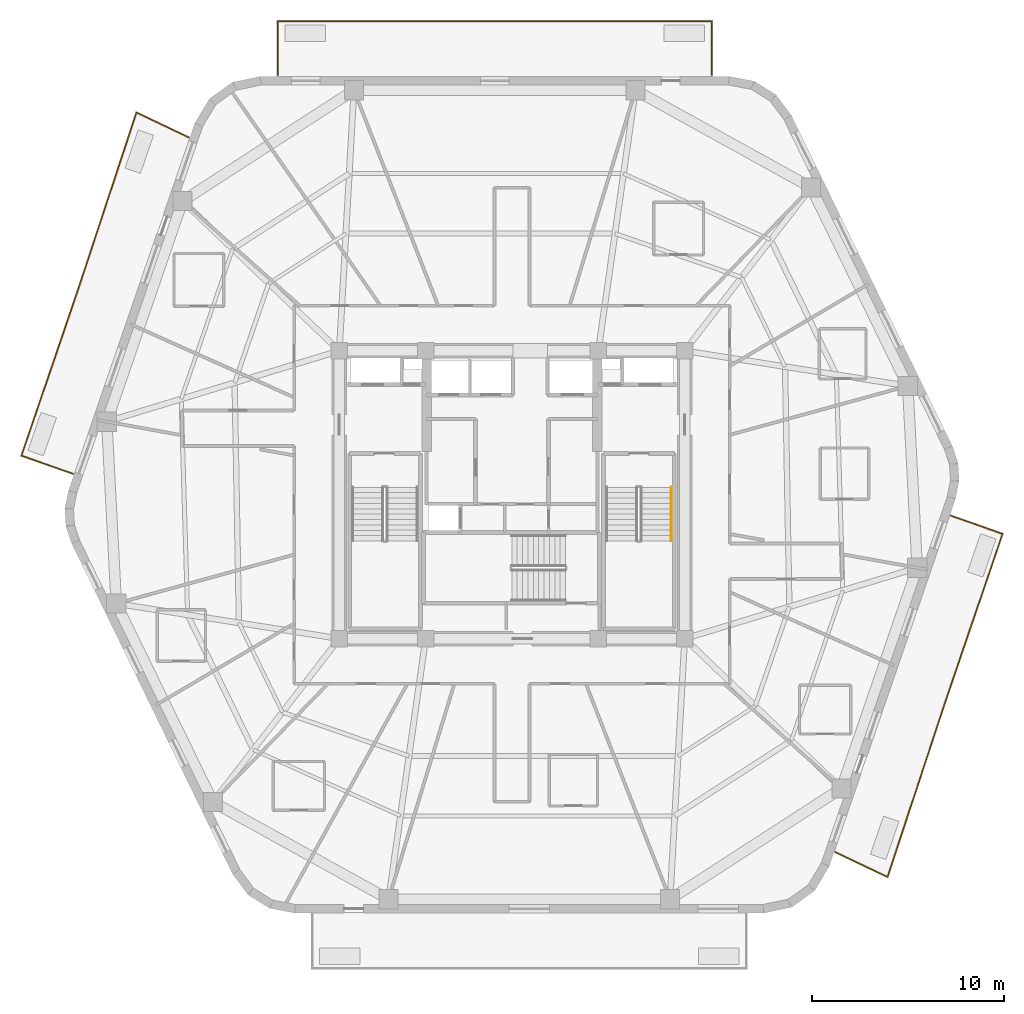
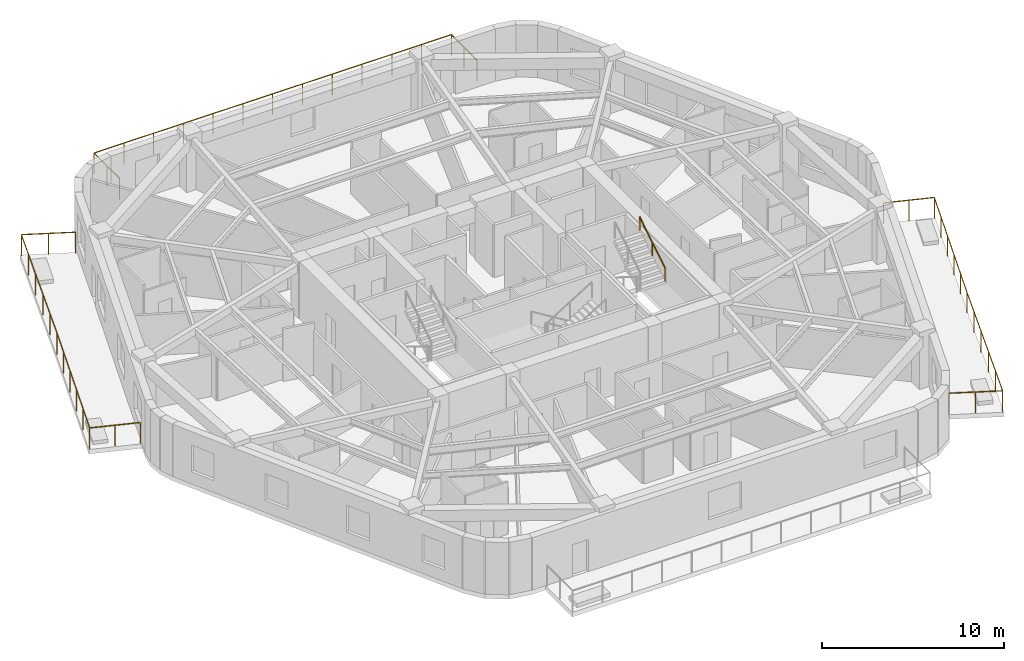
# One storey, part 9 of 9: 4 railings.
"""IFC4 building model written with IfcOpenShell, lengths in metres."""

from ifc_helpers import new_model, si_unit, direction, frame, origin, origin_2d, place, context, subcontext, project, spatial, rectangle, extrude, material, layer, layer_set, type_object, element, save


model = new_model("IFC4")

# Units and contexts
model_context = context("Model", 3, precision=1e-05, world=origin(), true_north=direction((0.0, 1.0)))
body_context = subcontext(model_context, "Body", "Model", "MODEL_VIEW")
ifc_project = project(units=[si_unit("LENGTHUNIT", "METRE"), si_unit("AREAUNIT", "SQUARE_METRE"), si_unit("VOLUMEUNIT", "CUBIC_METRE"), si_unit("PLANEANGLEUNIT", "RADIAN"), si_unit("MASSUNIT", "GRAM", prefix="KILO")], contexts=[model_context])

# Site, building, storey
site_placement = place(None, origin())
site = spatial("IfcSite", under=ifc_project, at=site_placement, CompositionType="ELEMENT")
building_placement = place(site_placement, origin())
building = spatial("IfcBuilding", under=site, at=building_placement, Name="Kilnhurst Terrace Hotel", CompositionType="ELEMENT")
storey_placement = place(building_placement, frame((0.0, 0.0, 225.5)))
storey = spatial("IfcBuildingStorey", under=building, at=storey_placement, Name="L56", CompositionType="ELEMENT", Elevation=225.5)

# Railings
ifc_material_1 = material(Name="Laminated SentryGlas and Stainless Steel AISI 316L Balustrade", Category="steel")
ifc_layer_1 = layer(ifc_material_1, 0.070068359375, Name="Laminated SentryGlas and Stainless Steel AISI 316L Balustrade")
ifc_layer_set_1 = layer_set([ifc_layer_1], Name="Laminated SentryGlas and Stainless Steel AISI 316L Balustrade")
railing_type_1 = type_object("IfcRailingType", Name="RLG-BAL-1420", PredefinedType="BALUSTRADE", material=ifc_layer_set_1)
railing_1_placement = place(storey_placement, frame((22.894287109375, -1.1005859375, 0.0)))
element("IfcRailing", 1, at=railing_1_placement, inside=storey, type_object=railing_type_1, Name="L56 Exterior Terrace Guardrail BAL-L1B.1", PredefinedType="BALUSTRADE", context=body_context, shape_type="SweptSolid", body=[
    extrude(rectangle(XDim=0.048095703125, YDim=0.048095703125, at=origin_2d()), frame((0.0, 0.0, 1.39599609375), z_axis=(0.943611810029, -0.331054001597, 0.0), x_axis=(0.331054001597, 0.943611810029, 0.0)), (0.0, 0.0, 1.0), 2.828125),
    extrude(rectangle(XDim=0.048095703125, YDim=0.048095703125, at=origin_2d()), frame((2.668701171875, -0.936279296875, 1.39599609375), z_axis=(-0.322845243604, -0.946451767753, 0.0), x_axis=(0.946451767753, -0.322845243604, 0.0)), (0.0, 0.0, 1.0), 9.19775390625),
    extrude(rectangle(XDim=0.048095703125, YDim=0.048095703125, at=origin_2d()), frame((-0.30078125, -9.6416015625, 1.39599609375), z_axis=(-0.316227766017, -0.948683298051, 0.0), x_axis=(0.948683298051, -0.316227766017, 0.0)), (0.0, 0.0, 1.0), 0.000732421875),
    extrude(rectangle(XDim=0.048095703125, YDim=0.048095703125, at=origin_2d()), frame((-0.301025390625, -9.642333984375, 1.39599609375), z_axis=(-0.31308682558, -0.949724507238, 0.0), x_axis=(0.949724507238, -0.31308682558, 0.0)), (0.0, 0.0, 1.0), 9.6591796875),
    extrude(rectangle(XDim=0.048095703125, YDim=0.048095703125, at=origin_2d()), frame((-3.3251953125, -18.81591796875, 1.39599609375), z_axis=(-0.902564652544, 0.430554349622, 0.0), x_axis=(-0.430554349622, -0.902564652544, 0.0)), (0.0, 0.0, 1.0), 2.99169921875),
    extrude(rectangle(XDim=0.0419921875, YDim=0.0419921875, at=origin_2d()), origin(), (0.0, 0.0, 1.0), 1.371826171875),
    extrude(rectangle(XDim=0.0419921875, YDim=0.0419921875, at=origin_2d()), frame((1.33447265625, -0.46826171875, 0.0)), (0.0, 0.0, 1.0), 1.371826171875),
    extrude(rectangle(XDim=0.0419921875, YDim=0.0419921875, at=origin_2d()), frame((2.668701171875, -0.936279296875, 0.0)), (0.0, 0.0, 1.0), 1.371826171875),
    extrude(rectangle(XDim=0.0419921875, YDim=0.0419921875, at=origin_2d()), frame((2.07470703125, -2.67724609375, 0.0)), (0.0, 0.0, 1.0), 1.371826171875),
    extrude(rectangle(XDim=0.0419921875, YDim=0.0419921875, at=origin_2d()), frame((1.48095703125, -4.41845703125, 0.0)), (0.0, 0.0, 1.0), 1.371826171875),
    extrude(rectangle(XDim=0.0419921875, YDim=0.0419921875, at=origin_2d()), frame((0.886962890625, -6.159423828125, 0.0)), (0.0, 0.0, 1.0), 1.371826171875),
    extrude(rectangle(XDim=0.0419921875, YDim=0.0419921875, at=origin_2d()), frame((0.293212890625, -7.900634765625, 0.0)), (0.0, 0.0, 1.0), 1.371826171875),
    extrude(rectangle(XDim=0.0419921875, YDim=0.0419921875, at=origin_2d()), frame((-0.30078125, -9.6416015625, 0.0)), (0.0, 0.0, 1.0), 1.371826171875),
    extrude(rectangle(XDim=0.0419921875, YDim=0.0419921875, at=origin_2d()), frame((-0.301025390625, -9.642333984375, 0.0)), (0.0, 0.0, 1.0), 1.371826171875),
    extrude(rectangle(XDim=0.0419921875, YDim=0.0419921875, at=origin_2d()), frame((-0.90576171875, -11.47705078125, 0.0)), (0.0, 0.0, 1.0), 1.371826171875),
    extrude(rectangle(XDim=0.0419921875, YDim=0.0419921875, at=origin_2d()), frame((-1.5107421875, -13.311767578125, 0.0)), (0.0, 0.0, 1.0), 1.371826171875),
    extrude(rectangle(XDim=0.0419921875, YDim=0.0419921875, at=origin_2d()), frame((-2.115478515625, -15.146484375, 0.0)), (0.0, 0.0, 1.0), 1.371826171875),
    extrude(rectangle(XDim=0.0419921875, YDim=0.0419921875, at=origin_2d()), frame((-2.720458984375, -16.981201171875, 0.0)), (0.0, 0.0, 1.0), 1.371826171875),
    extrude(rectangle(XDim=0.0419921875, YDim=0.0419921875, at=origin_2d()), frame((-3.3251953125, -18.81591796875, 0.0)), (0.0, 0.0, 1.0), 1.371826171875),
    extrude(rectangle(XDim=0.0419921875, YDim=0.0419921875, at=origin_2d()), frame((-4.67529296875, -18.171875, 0.0)), (0.0, 0.0, 1.0), 1.371826171875),
    extrude(rectangle(XDim=0.0419921875, YDim=0.0419921875, at=origin_2d()), frame((-6.025390625, -17.52783203125, 0.0)), (0.0, 0.0, 1.0), 1.371826171875),
])
railing_2_placement = place(storey_placement, frame((-12.21484375, 21.8798828125, 0.0)))
element("IfcRailing", 2, at=railing_2_placement, inside=storey, type_object=railing_type_1, Name="L56 Exterior Terrace Guardrail BAL-L2A.1", PredefinedType="BALUSTRADE", context=body_context, shape_type="SweptSolid", body=[
    extrude(rectangle(XDim=0.048095703125, YDim=0.048095703125, at=origin_2d()), frame((0.0, 0.0, 1.39599609375), z_axis=(0.0, 1.0, 0.0), x_axis=(-1.0, 0.0, 0.0)), (0.0, 0.0, 1.0), 2.800048828125),
    extrude(rectangle(XDim=0.048095703125, YDim=0.048095703125, at=origin_2d()), frame((0.0, 2.800048828125, 1.39599609375), z_axis=(1.0, 0.0, 0.0), x_axis=(0.0, 1.0, 0.0)), (0.0, 0.0, 1.0), 22.62353515625),
    extrude(rectangle(XDim=0.048095703125, YDim=0.048095703125, at=origin_2d()), frame((22.62353515625, 2.800048828125, 1.39599609375), z_axis=(0.0, -1.0, 0.0), x_axis=(1.0, 0.0, 0.0)), (0.0, 0.0, 1.0), 2.800048828125),
    extrude(rectangle(XDim=0.0419921875, YDim=0.0419921875, at=origin_2d()), origin(), (0.0, 0.0, 1.0), 1.371826171875),
    extrude(rectangle(XDim=0.0419921875, YDim=0.0419921875, at=origin_2d()), frame((0.0, 1.39990234375, 0.0)), (0.0, 0.0, 1.0), 1.371826171875),
    extrude(rectangle(XDim=0.0419921875, YDim=0.0419921875, at=origin_2d()), frame((0.0, 2.800048828125, 0.0)), (0.0, 0.0, 1.0), 1.371826171875),
    extrude(rectangle(XDim=0.0419921875, YDim=0.0419921875, at=origin_2d()), frame((1.88525390625, 2.800048828125, 0.0)), (0.0, 0.0, 1.0), 1.371826171875),
    extrude(rectangle(XDim=0.0419921875, YDim=0.0419921875, at=origin_2d()), frame((3.7705078125, 2.800048828125, 0.0)), (0.0, 0.0, 1.0), 1.371826171875),
    extrude(rectangle(XDim=0.0419921875, YDim=0.0419921875, at=origin_2d()), frame((5.65576171875, 2.800048828125, 0.0)), (0.0, 0.0, 1.0), 1.371826171875),
    extrude(rectangle(XDim=0.0419921875, YDim=0.0419921875, at=origin_2d()), frame((7.541259765625, 2.800048828125, 0.0)), (0.0, 0.0, 1.0), 1.371826171875),
    extrude(rectangle(XDim=0.0419921875, YDim=0.0419921875, at=origin_2d()), frame((9.426513671875, 2.800048828125, 0.0)), (0.0, 0.0, 1.0), 1.371826171875),
    extrude(rectangle(XDim=0.0419921875, YDim=0.0419921875, at=origin_2d()), frame((11.311767578125, 2.800048828125, 0.0)), (0.0, 0.0, 1.0), 1.371826171875),
    extrude(rectangle(XDim=0.0419921875, YDim=0.0419921875, at=origin_2d()), frame((13.197021484375, 2.800048828125, 0.0)), (0.0, 0.0, 1.0), 1.371826171875),
    extrude(rectangle(XDim=0.0419921875, YDim=0.0419921875, at=origin_2d()), frame((15.082275390625, 2.800048828125, 0.0)), (0.0, 0.0, 1.0), 1.371826171875),
    extrude(rectangle(XDim=0.0419921875, YDim=0.0419921875, at=origin_2d()), frame((16.9677734375, 2.800048828125, 0.0)), (0.0, 0.0, 1.0), 1.371826171875),
    extrude(rectangle(XDim=0.0419921875, YDim=0.0419921875, at=origin_2d()), frame((18.85302734375, 2.800048828125, 0.0)), (0.0, 0.0, 1.0), 1.371826171875),
    extrude(rectangle(XDim=0.0419921875, YDim=0.0419921875, at=origin_2d()), frame((20.73828125, 2.800048828125, 0.0)), (0.0, 0.0, 1.0), 1.371826171875),
    extrude(rectangle(XDim=0.0419921875, YDim=0.0419921875, at=origin_2d()), frame((22.62353515625, 2.800048828125, 0.0)), (0.0, 0.0, 1.0), 1.371826171875),
    extrude(rectangle(XDim=0.0419921875, YDim=0.0419921875, at=origin_2d()), frame((22.62353515625, 1.39990234375, 0.0)), (0.0, 0.0, 1.0), 1.371826171875),
    extrude(rectangle(XDim=0.0419921875, YDim=0.0419921875, at=origin_2d()), frame((22.62353515625, 0.0, 0.0)), (0.0, 0.0, 1.0), 1.371826171875),
])
railing_3_placement = place(storey_placement, frame((-22.894287109375, 1.1005859375, 0.0)))
element("IfcRailing", 3, at=railing_3_placement, inside=storey, type_object=railing_type_1, Name="L56 Exterior Terrace Guardrail BAL-L2B.1", PredefinedType="BALUSTRADE", context=body_context, shape_type="SweptSolid", body=[
    extrude(rectangle(XDim=0.048095703125, YDim=0.048095703125, at=origin_2d()), frame((0.0, 0.0, 1.39599609375), z_axis=(-0.943611810029, 0.331054001597, 0.0), x_axis=(-0.331054001597, -0.943611810029, 0.0)), (0.0, 0.0, 1.0), 2.828125),
    extrude(rectangle(XDim=0.048095703125, YDim=0.048095703125, at=origin_2d()), frame((-2.668701171875, 0.936279296875, 1.39599609375), z_axis=(0.322845243604, 0.946451767753, 0.0), x_axis=(-0.946451767753, 0.322845243604, 0.0)), (0.0, 0.0, 1.0), 9.19775390625),
    extrude(rectangle(XDim=0.048095703125, YDim=0.048095703125, at=origin_2d()), frame((0.30078125, 9.6416015625, 1.39599609375), z_axis=(0.316227766017, 0.948683298051, 0.0), x_axis=(-0.948683298051, 0.316227766017, 0.0)), (0.0, 0.0, 1.0), 0.000732421875),
    extrude(rectangle(XDim=0.048095703125, YDim=0.048095703125, at=origin_2d()), frame((0.301025390625, 9.642333984375, 1.39599609375), z_axis=(0.31308682558, 0.949724507238, 0.0), x_axis=(-0.949724507238, 0.31308682558, 0.0)), (0.0, 0.0, 1.0), 9.6591796875),
    extrude(rectangle(XDim=0.048095703125, YDim=0.048095703125, at=origin_2d()), frame((3.3251953125, 18.81591796875, 1.39599609375), z_axis=(0.902564652544, -0.430554349622, 0.0), x_axis=(0.430554349622, 0.902564652544, 0.0)), (0.0, 0.0, 1.0), 2.99169921875),
    extrude(rectangle(XDim=0.0419921875, YDim=0.0419921875, at=origin_2d()), origin(), (0.0, 0.0, 1.0), 1.371826171875),
    extrude(rectangle(XDim=0.0419921875, YDim=0.0419921875, at=origin_2d()), frame((-1.33447265625, 0.46826171875, 0.0)), (0.0, 0.0, 1.0), 1.371826171875),
    extrude(rectangle(XDim=0.0419921875, YDim=0.0419921875, at=origin_2d()), frame((-2.668701171875, 0.936279296875, 0.0)), (0.0, 0.0, 1.0), 1.371826171875),
    extrude(rectangle(XDim=0.0419921875, YDim=0.0419921875, at=origin_2d()), frame((-2.07470703125, 2.67724609375, 0.0)), (0.0, 0.0, 1.0), 1.371826171875),
    extrude(rectangle(XDim=0.0419921875, YDim=0.0419921875, at=origin_2d()), frame((-1.48095703125, 4.41845703125, 0.0)), (0.0, 0.0, 1.0), 1.371826171875),
    extrude(rectangle(XDim=0.0419921875, YDim=0.0419921875, at=origin_2d()), frame((-0.886962890625, 6.159423828125, 0.0)), (0.0, 0.0, 1.0), 1.371826171875),
    extrude(rectangle(XDim=0.0419921875, YDim=0.0419921875, at=origin_2d()), frame((-0.293212890625, 7.900634765625, 0.0)), (0.0, 0.0, 1.0), 1.371826171875),
    extrude(rectangle(XDim=0.0419921875, YDim=0.0419921875, at=origin_2d()), frame((0.30078125, 9.6416015625, 0.0)), (0.0, 0.0, 1.0), 1.371826171875),
    extrude(rectangle(XDim=0.0419921875, YDim=0.0419921875, at=origin_2d()), frame((0.301025390625, 9.642333984375, 0.0)), (0.0, 0.0, 1.0), 1.371826171875),
    extrude(rectangle(XDim=0.0419921875, YDim=0.0419921875, at=origin_2d()), frame((0.90576171875, 11.47705078125, 0.0)), (0.0, 0.0, 1.0), 1.371826171875),
    extrude(rectangle(XDim=0.0419921875, YDim=0.0419921875, at=origin_2d()), frame((1.5107421875, 13.311767578125, 0.0)), (0.0, 0.0, 1.0), 1.371826171875),
    extrude(rectangle(XDim=0.0419921875, YDim=0.0419921875, at=origin_2d()), frame((2.115478515625, 15.146484375, 0.0)), (0.0, 0.0, 1.0), 1.371826171875),
    extrude(rectangle(XDim=0.0419921875, YDim=0.0419921875, at=origin_2d()), frame((2.720458984375, 16.981201171875, 0.0)), (0.0, 0.0, 1.0), 1.371826171875),
    extrude(rectangle(XDim=0.0419921875, YDim=0.0419921875, at=origin_2d()), frame((3.3251953125, 18.81591796875, 0.0)), (0.0, 0.0, 1.0), 1.371826171875),
    extrude(rectangle(XDim=0.0419921875, YDim=0.0419921875, at=origin_2d()), frame((4.67529296875, 18.171875, 0.0)), (0.0, 0.0, 1.0), 1.371826171875),
    extrude(rectangle(XDim=0.0419921875, YDim=0.0419921875, at=origin_2d()), frame((6.025390625, 17.52783203125, 0.0)), (0.0, 0.0, 1.0), 1.371826171875),
])
ifc_material_2 = material(Name="Brushed Stainless Steel AISI 304", Category="steel")
ifc_layer_2 = layer(ifc_material_2, 0.048095703125, Name="Brushed Stainless Steel AISI 304")
ifc_layer_set_2 = layer_set([ifc_layer_2], Name="Brushed Stainless Steel AISI 304")
railing_type_2 = type_object("IfcRailingType", Name="RLG-ST-HRL-900", PredefinedType="HANDRAIL", material=ifc_layer_set_2)
railing_4_placement = place(storey_placement, frame((8.300048828125, -2.409912109375, 2.07275390625)))
element("IfcRailing", 4, at=railing_4_placement, inside=storey, type_object=railing_type_2, Name="L56 ST-2 stair handrail 2", PredefinedType="HANDRAIL", context=body_context, shape_type="SweptSolid", body=[
    extrude(rectangle(XDim=0.048095703125, YDim=0.048095703125, at=origin_2d()), frame((0.0, 0.0, 0.8759765625), z_axis=(0.0, 0.851069175582, 0.525053576669), x_axis=(-1.0, 0.0, 0.0)), (0.0, 0.0, 1.0), 3.289794921875),
    extrude(rectangle(XDim=0.0419921875, YDim=0.0419921875, at=origin_2d()), origin(), (0.0, 0.0, 1.0), 0.851806640625),
    extrude(rectangle(XDim=0.0419921875, YDim=0.0419921875, at=origin_2d()), frame((0.0, 1.39990234375, 0.86376953125)), (0.0, 0.0, 1.0), 0.851806640625),
    extrude(rectangle(XDim=0.0419921875, YDim=0.0419921875, at=origin_2d()), frame((0.0, 2.7998046875, 1.727294921875)), (0.0, 0.0, 1.0), 0.851806640625),
])

save(model, "model.ifc")
